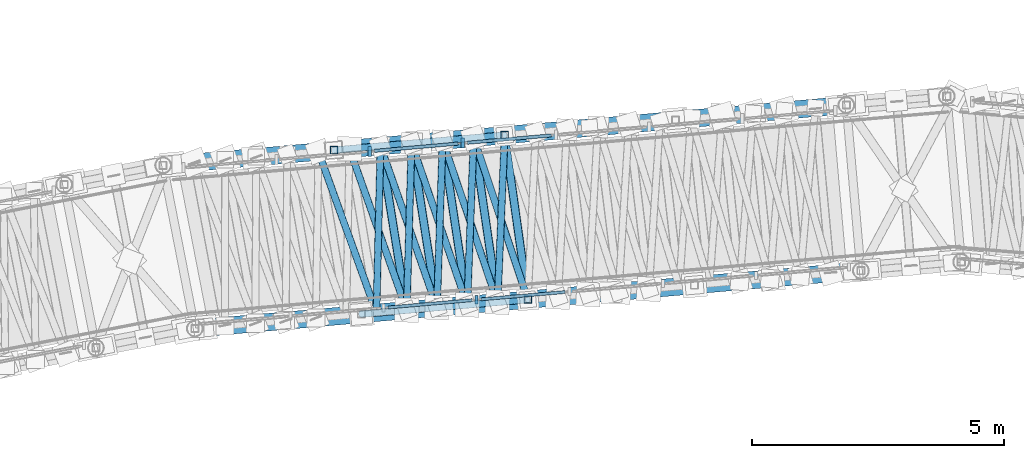
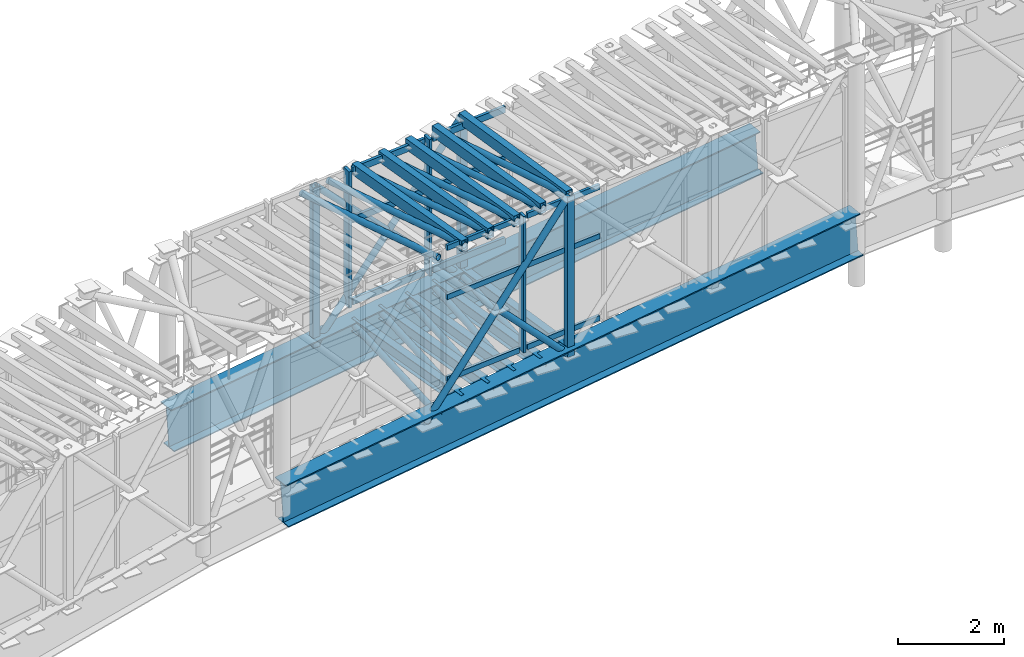
# One storey, part 51 of 144: 39 members, 7 beams, 2 elements without a shape of their own.
"""IFC4 building model written with IfcOpenShell, lengths in metres."""

from ifc_helpers import new_model, si_unit, direction, frame, origin, origin_2d, place, context, subcontext, project, spatial, rectangle, hollow_rectangle, hollow_circle, i_section, extrude, material, material_profile, profile_set, type_object, element, aggregate, save


model = new_model("IFC4")

# Units and contexts
model_context = context("Model", 3, precision=1e-05, world=origin(), true_north=direction((0.0, 1.0)))
body_context = subcontext(model_context, "Body", "Model", "MODEL_VIEW")
ifc_project = project(units=[si_unit("LENGTHUNIT", "METRE"), si_unit("AREAUNIT", "SQUARE_METRE"), si_unit("VOLUMEUNIT", "CUBIC_METRE"), si_unit("PLANEANGLEUNIT", "RADIAN"), si_unit("MASSUNIT", "GRAM", prefix="KILO")], contexts=[model_context])

# Site, building, storey
site_placement = place(None, origin())
site = spatial("IfcSite", under=ifc_project, at=site_placement, CompositionType="ELEMENT")
building_placement = place(site_placement, origin())
building = spatial("IfcBuilding", under=site, at=building_placement, Name="Cinderbank Siding Concert Hall", CompositionType="ELEMENT")
storey_placement = place(building_placement, frame((0.0, 0.0, 5.39990234375)))
storey = spatial("IfcBuildingStorey", under=building, at=storey_placement, Name="L02", CompositionType="ELEMENT", Elevation=5.39990234375)

# Beams
ifc_material_1 = material(Name="Structural steel welded plate section AS/NZS 3679.2 / AS/NZS 3678 Grade 350 (340 MPa)", Category="steel")
ifc_material_profile_1 = material_profile(ifc_material_1, i_section(OverallWidth=0.35009765625, OverallDepth=1.0, WebThickness=0.013916015625, FlangeThickness=0.02490234375, at=origin_2d()), Name="1000WB258", Category="LoadBearing")
ifc_profile_set_1 = profile_set([ifc_material_profile_1], Name="Structural steel welded plate section AS/NZS 3679.2 / AS/NZS 3678 Grade 350 (340 MPa)")
beam_type_1 = type_object("IfcBeamType", Name="BM-WB1000 1000WB258", PredefinedType="BEAM", material=ifc_profile_set_1)
beam_1_placement = place(storey_placement, frame((63.64208984375, 101.06591796875, 0.239990234375), z_axis=(0.993668787675, 0.087581409073, 0.070369291498), x_axis=(-0.087799062183, 0.996138205612, 0.0)))
element("IfcBeam", 1, at=beam_1_placement, inside=storey, type_object=beam_type_1, Name="L02 Beam BM-WB1000 #1929", PredefinedType="BEAM", context=body_context, shape_type="SweptSolid", body=[
    extrude(i_section(OverallWidth=0.35009765625, OverallDepth=1.0, WebThickness=0.013916015625, FlangeThickness=0.02490234375, at=origin_2d()), origin(), (0.0, 0.0, 1.0), 13.645263671875),
])
beam_2_placement = place(storey_placement, frame((64.27099609375, 97.825927734375, 0.239990234375), z_axis=(0.993649625476, 0.086314146185, 0.072182338283), x_axis=(-0.086539889575, 0.996248386454, 0.0)))
element("IfcBeam", 2, at=beam_2_placement, inside=storey, type_object=beam_type_1, Name="L02 Beam BM-WB1000 #1930", PredefinedType="BEAM", context=body_context, shape_type="SweptSolid", body=[
    extrude(i_section(OverallWidth=0.35009765625, OverallDepth=1.0, WebThickness=0.013916015625, FlangeThickness=0.02490234375, at=origin_2d()), origin(), (0.0, 0.0, 1.0), 13.302490234375),
])

# Members
ifc_material_2 = material(Name="Structural steel hollow section AS/NZS 1163 Grade C350L0 (350 MPa)", Category="steel")
ifc_material_profile_2 = material_profile(ifc_material_2, hollow_circle(Radius=0.06982421875, WallThickness=0.00634765625, at=origin_2d()), Name="139.7x6.4CHS", Category="LoadBearing")
ifc_profile_set_2 = profile_set([ifc_material_profile_2], Name="Structural steel hollow section AS/NZS 1163 Grade C350L0 (350 MPa)")
member_type_1 = type_object("IfcMemberType", Name="BR-CHS139 139.7x6.4CHS Roof Truss", PredefinedType="BRACE", material=ifc_profile_set_2)
member_1_placement = place(storey_placement, frame((67.03173828125, 101.36474609375, 0.75), z_axis=(0.651084484963, 0.057398977931, 0.756831784991), x_axis=(-0.087818429419, 0.996136498405, 0.0)))
element("IfcMember", 3, at=member_1_placement, inside=storey, type_object=member_type_1, Name="L02 Diagonal Brace BR-CHS139 #BRDL-BR-CHS139-L02-0143", PredefinedType="BRACE", context=body_context, shape_type="SweptSolid", body=[
    extrude(hollow_circle(Radius=0.06982421875, WallThickness=0.00634765625, at=origin_2d()), origin(), (0.0, 0.0, 1.0), 5.2060546875),
])
for number, where, z_axis, x_axis, name in (
    (4, (67.03173828125, 101.36474609375, 4.4501953125), (0.69843923657, 0.06155255194, -0.713017472556), (-0.087788461668, 0.996139139879, 0.0), "L02 Diagonal Brace BR-CHS139 #BRDL-BR-CHS139-L02-0144"),
    (5, (68.737060546875, 101.514892578125, 2.70947265625), (0.698434880748, 0.061653405186, -0.713013025816), (-0.087931735081, 0.996126502993, 0.0), "L02 Diagonal Brace BR-CHS139 #BRDL-BR-CHS139-L02-0144-S14"),
):
    element("IfcMember", number, at=place(storey_placement, frame(where, z_axis=z_axis, x_axis=x_axis)), inside=storey, type_object=member_type_1, Name=name, PredefinedType="BRACE", context=body_context, shape_type="SweptSolid", body=[
        extrude(hollow_circle(Radius=0.06982421875, WallThickness=0.00634765625, at=origin_2d()), origin(), (0.0, 0.0, 1.0), 2.41162109375),
    ])
member_2_placement = place(storey_placement, frame((67.575439453125, 98.113037109375, 0.75), z_axis=(0.641588692887, 0.055697577698, 0.765024005504), x_axis=(-0.086486685101, 0.996253006671, 0.0)))
element("IfcMember", 6, at=member_2_placement, inside=storey, type_object=member_type_1, Name="L02 Diagonal Brace BR-CHS139 #BRDR-BR-CHS139-L02-0155", PredefinedType="BRACE", context=body_context, shape_type="SweptSolid", body=[
    extrude(hollow_circle(Radius=0.06982421875, WallThickness=0.00634765625, at=origin_2d()), origin(), (0.0, 0.0, 1.0), 5.150390625),
])
member_3_placement = place(storey_placement, frame((69.238037109375, 98.25732421875, 2.709228515625), z_axis=(0.689403024463, 0.059867861158, -0.721899791565), x_axis=(-0.086514549146, 0.996250587345, 0.0)))
element("IfcMember", 7, at=member_3_placement, inside=storey, type_object=member_type_1, Name="L02 Diagonal Brace BR-CHS139 #BRDR-BR-CHS139-L02-0156-S18", PredefinedType="BRACE", context=body_context, shape_type="SweptSolid", body=[
    extrude(hollow_circle(Radius=0.06982421875, WallThickness=0.00634765625, at=origin_2d()), origin(), (0.0, 0.0, 1.0), 2.381591796875),
])
member_4_placement = place(storey_placement, frame((66.7236328125, 101.337646484375, 4.398193359375), z_axis=(0.338922862955, -0.940726361773, 0.012853218743), x_axis=(0.940804077861, 0.338950862339, 0.0)))
element("IfcMember", 8, at=member_4_placement, inside=storey, type_object=member_type_1, Name="L02 Diagonal Brace BR-CHS139 #BRXR-BR-CHS139-L02-0178", PredefinedType="BRACE", context=body_context, shape_type="SweptSolid", body=[
    extrude(hollow_circle(Radius=0.06982421875, WallThickness=0.00634765625, at=origin_2d()), origin(), (0.0, 0.0, 1.0), 3.39990234375),
])
member_5_placement = place(storey_placement, frame((67.8759765625, 98.13916015625, 0.802001953125), z_axis=(0.02427833391, 0.999617966996, 0.013209184711), x_axis=(-0.999705186361, 0.02428045226, 0.0)))
element("IfcMember", 9, at=member_5_placement, inside=storey, type_object=member_type_1, Name="L02 Diagonal Brace BR-CHS139 #BRST-BR-CHS139-L02-0180", PredefinedType="BRACE", context=body_context, shape_type="SweptSolid", body=[
    extrude(hollow_circle(Radius=0.06982421875, WallThickness=0.00634765625, at=origin_2d()), origin(), (0.0, 0.0, 1.0), 3.308349609375),
])
member_6_placement = place(storey_placement, frame((67.33984375, 101.391845703125, 4.44189453125), z_axis=(0.334728106984, -0.942226917427, 0.012865864537), x_axis=(0.942304910742, 0.334755814275, 0.0)))
element("IfcMember", 10, at=member_6_placement, inside=storey, type_object=member_type_1, Name="L02 Diagonal Brace BR-CHS139 #BRXR-BR-CHS139-L02-0181", PredefinedType="BRACE", context=body_context, shape_type="SweptSolid", body=[
    extrude(hollow_circle(Radius=0.06982421875, WallThickness=0.00634765625, at=origin_2d()), origin(), (0.0, 0.0, 1.0), 3.396728515625),
])
member_7_placement = place(storey_placement, frame((68.476806640625, 98.19140625, 0.845703125), z_axis=(0.028906773123, 0.999495925794, 0.013126034735), x_axis=(-0.999582039892, 0.028909263659, 0.0)))
element("IfcMember", 11, at=member_7_placement, inside=storey, type_object=member_type_1, Name="L02 Diagonal Brace BR-CHS139 #BRST-BR-CHS139-L02-0183", PredefinedType="BRACE", context=body_context, shape_type="SweptSolid", body=[
    extrude(hollow_circle(Radius=0.06982421875, WallThickness=0.00634765625, at=origin_2d()), origin(), (0.0, 0.0, 1.0), 3.310791015625),
])
member_8_placement = place(storey_placement, frame((67.956298828125, 101.4462890625, 4.485595703125), z_axis=(0.330345464989, -0.943772246341, 0.012877142472), x_axis=(0.943850504607, 0.33037285747, 0.0)))
element("IfcMember", 12, at=member_8_placement, inside=storey, type_object=member_type_1, Name="L02 Diagonal Brace BR-CHS139 #BRXR-BR-CHS139-L02-0184", PredefinedType="BRACE", context=body_context, shape_type="SweptSolid", body=[
    extrude(hollow_circle(Radius=0.06982421875, WallThickness=0.00634765625, at=origin_2d()), origin(), (0.0, 0.0, 1.0), 3.393798828125),
])
member_9_placement = place(storey_placement, frame((69.077392578125, 98.243408203125, 0.88916015625), z_axis=(0.033670091097, 0.999345986069, 0.013188066316), x_axis=(-0.999432903079, 0.033673019515, 0.0)))
element("IfcMember", 13, at=member_9_placement, inside=storey, type_object=member_type_1, Name="L02 Diagonal Brace BR-CHS139 #BRST-BR-CHS139-L02-0186", PredefinedType="BRACE", context=body_context, shape_type="SweptSolid", body=[
    extrude(hollow_circle(Radius=0.06982421875, WallThickness=0.00634765625, at=origin_2d()), origin(), (0.0, 0.0, 1.0), 3.313720703125),
])
member_10_placement = place(storey_placement, frame((68.572509765625, 101.50048828125, 4.529296875), z_axis=(0.326185806201, -0.945218781016, 0.012817014018), x_axis=(0.945296428891, 0.326212601727, 0.0)))
element("IfcMember", 14, at=member_10_placement, inside=storey, type_object=member_type_1, Name="L02 Diagonal Brace BR-CHS139 #BRXR-BR-CHS139-L02-0187", PredefinedType="BRACE", context=body_context, shape_type="SweptSolid", body=[
    extrude(hollow_circle(Radius=0.06982421875, WallThickness=0.00634765625, at=origin_2d()), origin(), (0.0, 0.0, 1.0), 3.390625),
])
member_11_placement = place(storey_placement, frame((69.678466796875, 98.295654296875, 0.932861328125), z_axis=(0.038209247343, 0.999182861148, 0.013178141184), x_axis=(-0.999269633199, 0.038212565549, 0.0)))
element("IfcMember", 15, at=member_11_placement, inside=storey, type_object=member_type_1, Name="L02 Diagonal Brace BR-CHS139 #BRST-BR-CHS139-L02-0189", PredefinedType="BRACE", context=body_context, shape_type="SweptSolid", body=[
    extrude(hollow_circle(Radius=0.06982421875, WallThickness=0.00634765625, at=origin_2d()), origin(), (0.0, 0.0, 1.0), 3.316162109375),
])
member_12_placement = place(storey_placement, frame((69.18896484375, 101.554931640625, 4.57275390625), z_axis=(0.321860442378, -0.946699232216, 0.012900362558), x_axis=(0.946778016587, 0.321887227625, 0.0)))
element("IfcMember", 16, at=member_12_placement, inside=storey, type_object=member_type_1, Name="L02 Diagonal Brace BR-CHS139 #BRXR-BR-CHS139-L02-0190", PredefinedType="BRACE", context=body_context, shape_type="SweptSolid", body=[
    extrude(hollow_circle(Radius=0.06982421875, WallThickness=0.00634765625, at=origin_2d()), origin(), (0.0, 0.0, 1.0), 3.3876953125),
])
member_13_placement = place(storey_placement, frame((70.279296875, 98.347900390625, 0.9765625), z_axis=(0.042811021223, 0.998997386986, 0.013093405116), x_axis=(-0.999083030684, 0.042814691397, 0.0)))
element("IfcMember", 17, at=member_13_placement, inside=storey, type_object=member_type_1, Name="L02 Diagonal Brace BR-CHS139 #BRST-BR-CHS139-L02-0192", PredefinedType="BRACE", context=body_context, shape_type="SweptSolid", body=[
    extrude(hollow_circle(Radius=0.06982421875, WallThickness=0.00634765625, at=origin_2d()), origin(), (0.0, 0.0, 1.0), 3.319091796875),
])
member_14_placement = place(storey_placement, frame((69.80517578125, 101.609130859375, 4.616455078125), z_axis=(0.317521099374, -0.94816330106, 0.012911466785), x_axis=(0.948242343187, 0.317547569015, 0.0)))
element("IfcMember", 18, at=member_14_placement, inside=storey, type_object=member_type_1, Name="L02 Diagonal Brace BR-CHS139 #BRXR-BR-CHS139-L02-0193", PredefinedType="BRACE", context=body_context, shape_type="SweptSolid", body=[
    extrude(hollow_circle(Radius=0.06982421875, WallThickness=0.00634765625, at=origin_2d()), origin(), (0.0, 0.0, 1.0), 3.384765625),
])
ifc_material_profile_3 = material_profile(ifc_material_2, hollow_rectangle(XDim=0.14990234375, YDim=0.14990234375, WallThickness=0.008056640625, at=origin_2d()), Name="150x150x8.0SHS", Category="LoadBearing")
ifc_profile_set_3 = profile_set([ifc_material_profile_3], Name="Structural steel hollow section AS/NZS 1163 Grade C350L0 (350 MPa)")
member_type_2 = type_object("IfcMemberType", Name="BR-SHS150 150x150x8.0SHS Roof Truss", PredefinedType="BRACE", material=ifc_profile_set_3)
for number, where, z_axis, x_axis, name in (
    (19, (67.03173828125, 101.36474609375, 0.75), (0.0, 0.0, 1.0), (1.0, 0.0, 0.0), "L02 Diagonal Brace BR-SHS150 #BRVL-BR-SHS150-L02-0142"),
    (20, (70.42138671875, 101.66357421875, 0.989990234375), (0.0, 0.0, 1.0), (1.0, 0.0, 0.0), "L02 Diagonal Brace BR-SHS150 #BRVL-BR-SHS150-L02-0145"),
    (21, (70.8798828125, 98.39990234375, 0.989990234375), (0.0, 0.0, 1.0), (1.0, 0.0, 0.0), "L02 Diagonal Brace BR-SHS150 #BRVR-BR-SHS150-L02-0157"),
):
    element("IfcMember", number, at=place(storey_placement, frame(where, z_axis=z_axis, x_axis=x_axis)), inside=storey, type_object=member_type_2, Name=name, PredefinedType="BRACE", context=body_context, shape_type="SweptSolid", body=[
        extrude(hollow_rectangle(XDim=0.14990234375, YDim=0.14990234375, WallThickness=0.008056640625, at=origin_2d()), origin(), (0.0, 0.0, 1.0), 3.7001953125),
    ])

# Curtain wall, member
ifc_material_3 = material(Name="Anodised aluminium alloy 6063-T6", Category="aluminium")
curtain_wall_type = type_object("IfcCurtainWallType", Name="CW-15 Unitised Acoustic Curtain Wall 12800x3200", PredefinedType="NOTDEFINED", material=ifc_material_3)
curtain_wall_1_placement = place(storey_placement, origin())
curtain_wall_1 = element("IfcCurtainWall", 22, at=curtain_wall_1_placement, inside=storey, type_object=curtain_wall_type, Name="L02 Curtain Wall CW-15 #156", PredefinedType="NOTDEFINED")
ifc_material_profile_4 = material_profile(ifc_material_3, rectangle(XDim=0.06005859375, YDim=0.159912109375, at=origin_2d()), Name="ALU-MULL-60x160", Category="LoadBearing")
ifc_profile_set_4 = profile_set([ifc_material_profile_4], Name="Anodised aluminium alloy 6063-T6")
member_type_3 = type_object("IfcMemberType", Name="CW-ML1 Mullion 60x160", PredefinedType="MULLION", material=ifc_profile_set_4)
member_15_placement = place(storey_placement, frame((69.86279296875, 98.39697265625, 1.440185546875), z_axis=(0.0, 0.0, 1.0), x_axis=(1.0, 0.0, 0.0)))
member_15 = element("IfcMember", 23, at=member_15_placement, type_object=member_type_3, Name="CW-L02-156 Mullion 3", PredefinedType="MULLION", context=body_context, shape_type="SweptSolid", body=[
    extrude(rectangle(XDim=0.06005859375, YDim=0.159912109375, at=origin_2d()), origin(), (0.0, 0.0, 1.0), 3.14990234375),
])

# Curtain wall, members
curtain_wall_2_placement = place(storey_placement, origin())
curtain_wall_2 = element("IfcCurtainWall", 24, at=curtain_wall_2_placement, inside=storey, type_object=curtain_wall_type, Name="L02 Curtain Wall CW-15 #155", PredefinedType="NOTDEFINED")
ifc_material_profile_5 = material_profile(ifc_material_3, rectangle(XDim=0.06494140625, YDim=0.199951171875, at=origin_2d()), Name="ALU-MULL-65x200", Category="LoadBearing")
ifc_profile_set_5 = profile_set([ifc_material_profile_5], Name="Anodised aluminium alloy 6063-T6")
member_type_4 = type_object("IfcMemberType", Name="CW-ML2 Mullion 65x200", PredefinedType="MULLION", material=ifc_profile_set_5)
member_16_placement = place(storey_placement, frame((67.74267578125, 101.34326171875, 1.440185546875), z_axis=(0.0, 0.0, 1.0), x_axis=(1.0, 0.0, 0.0)))
member_16 = element("IfcMember", 25, at=member_16_placement, type_object=member_type_4, Name="CW-L02-155 Mullion 2", PredefinedType="MULLION", context=body_context, shape_type="SweptSolid", body=[
    extrude(rectangle(XDim=0.06494140625, YDim=0.199951171875, at=origin_2d()), origin(), (0.0, 0.0, 1.0), 3.14990234375),
])
member_17_placement = place(storey_placement, frame((69.5908203125, 101.5048828125, 1.440185546875), z_axis=(0.0, 0.0, 1.0), x_axis=(1.0, 0.0, 0.0)))
member_17 = element("IfcMember", 26, at=member_17_placement, type_object=member_type_4, Name="CW-L02-155 Mullion 3", PredefinedType="MULLION", context=body_context, shape_type="SweptSolid", body=[
    extrude(rectangle(XDim=0.06494140625, YDim=0.199951171875, at=origin_2d()), origin(), (0.0, 0.0, 1.0), 3.14990234375),
])

# Member
ifc_material_profile_6 = material_profile(ifc_material_3, rectangle(XDim=0.06005859375, YDim=0.1201171875, at=origin_2d()), Name="ALU-TRAN-60x120", Category="LoadBearing")
ifc_profile_set_6 = profile_set([ifc_material_profile_6], Name="Anodised aluminium alloy 6063-T6")
member_type_5 = type_object("IfcMemberType", Name="CW-TR1 Transom 60x120", PredefinedType="USERDEFINED", material=ifc_profile_set_6)
member_18_placement = place(storey_placement, frame((68.107177734375, 98.243408203125, 1.5), z_axis=(0.996195463137, 0.087146997803, 0.0), x_axis=(-0.087146997803, 0.996195463137, 0.0)))
member_18 = element("IfcMember", 27, at=member_18_placement, type_object=member_type_5, Name="CW-L02-156 Transom 2-0", ObjectType="TRANSOM", PredefinedType="USERDEFINED", context=body_context, shape_type="SweptSolid", body=[
    extrude(rectangle(XDim=0.06005859375, YDim=0.1201171875, at=origin_2d()), origin(), (0.0, 0.0, 1.0), 1.669677734375),
])

member_19_placement = place(storey_placement, frame((68.107177734375, 98.243408203125, 3.39306640625), z_axis=(0.996195463137, 0.087146997803, 0.0), x_axis=(-0.087146997803, 0.996195463137, 0.0)))
member_19 = element("IfcMember", 28, at=member_19_placement, type_object=member_type_5, Name="CW-L02-156 Transom 2-1", ObjectType="TRANSOM", PredefinedType="USERDEFINED", context=body_context, shape_type="SweptSolid", body=[
    extrude(rectangle(XDim=0.06005859375, YDim=0.1201171875, at=origin_2d()), origin(), (0.0, 0.0, 1.0), 1.669677734375),
])

member_20_placement = place(storey_placement, frame((68.107177734375, 98.243408203125, 4.530029296875), z_axis=(0.996195463137, 0.087146997803, 0.0), x_axis=(-0.087146997803, 0.996195463137, 0.0)))
member_20 = element("IfcMember", 29, at=member_20_placement, type_object=member_type_5, Name="CW-L02-156 Transom 2-2", ObjectType="TRANSOM", PredefinedType="USERDEFINED", context=body_context, shape_type="SweptSolid", body=[
    extrude(rectangle(XDim=0.06005859375, YDim=0.1201171875, at=origin_2d()), origin(), (0.0, 0.0, 1.0), 1.669677734375),
])

member_21_placement = place(storey_placement, frame((69.955078125, 98.405029296875, 1.5), z_axis=(0.996195463137, 0.087146997803, 0.0), x_axis=(-0.087146997803, 0.996195463137, 0.0)))
member_21 = element("IfcMember", 30, at=member_21_placement, type_object=member_type_5, Name="CW-L02-156 Transom 3-0", ObjectType="TRANSOM", PredefinedType="USERDEFINED", context=body_context, shape_type="SweptSolid", body=[
    extrude(rectangle(XDim=0.06005859375, YDim=0.1201171875, at=origin_2d()), origin(), (0.0, 0.0, 1.0), 1.669677734375),
])

member_22_placement = place(storey_placement, frame((69.955078125, 98.405029296875, 3.39306640625), z_axis=(0.996195463137, 0.087146997803, 0.0), x_axis=(-0.087146997803, 0.996195463137, 0.0)))
member_22 = element("IfcMember", 31, at=member_22_placement, type_object=member_type_5, Name="CW-L02-156 Transom 3-1", ObjectType="TRANSOM", PredefinedType="USERDEFINED", context=body_context, shape_type="SweptSolid", body=[
    extrude(rectangle(XDim=0.06005859375, YDim=0.1201171875, at=origin_2d()), origin(), (0.0, 0.0, 1.0), 1.669677734375),
])

member_23_placement = place(storey_placement, frame((69.955078125, 98.405029296875, 4.530029296875), z_axis=(0.996195463137, 0.087146997803, 0.0), x_axis=(-0.087146997803, 0.996195463137, 0.0)))
member_23 = element("IfcMember", 32, at=member_23_placement, type_object=member_type_5, Name="CW-L02-156 Transom 3-2", ObjectType="TRANSOM", PredefinedType="USERDEFINED", context=body_context, shape_type="SweptSolid", body=[
    extrude(rectangle(XDim=0.06005859375, YDim=0.1201171875, at=origin_2d()), origin(), (0.0, 0.0, 1.0), 1.669677734375),
])

aggregate(curtain_wall_1, [member_15, member_18, member_19, member_20, member_21, member_22, member_23])

ifc_material_profile_7 = material_profile(ifc_material_3, rectangle(XDim=0.06494140625, YDim=0.14990234375, at=origin_2d()), Name="ALU-TRAN-65x150", Category="LoadBearing")
ifc_profile_set_7 = profile_set([ifc_material_profile_7], Name="Anodised aluminium alloy 6063-T6")
member_type_6 = type_object("IfcMemberType", Name="CW-TR2 Transom 65x150", PredefinedType="USERDEFINED", material=ifc_profile_set_7)
member_24_placement = place(storey_placement, frame((67.835205078125, 101.351318359375, 1.5), z_axis=(0.996194352413, 0.087159693781, 0.0), x_axis=(-0.087159693781, 0.996194352413, 0.0)))
member_24 = element("IfcMember", 33, at=member_24_placement, type_object=member_type_6, Name="CW-L02-155 Transom 2-0", ObjectType="TRANSOM", PredefinedType="USERDEFINED", context=body_context, shape_type="SweptSolid", body=[
    extrude(rectangle(XDim=0.06494140625, YDim=0.14990234375, at=origin_2d()), origin(), (0.0, 0.0, 1.0), 1.66943359375),
])

member_25_placement = place(storey_placement, frame((67.835205078125, 101.351318359375, 3.39306640625), z_axis=(0.996194352413, 0.087159693781, 0.0), x_axis=(-0.087159693781, 0.996194352413, 0.0)))
member_25 = element("IfcMember", 34, at=member_25_placement, type_object=member_type_6, Name="CW-L02-155 Transom 2-1", ObjectType="TRANSOM", PredefinedType="USERDEFINED", context=body_context, shape_type="SweptSolid", body=[
    extrude(rectangle(XDim=0.06494140625, YDim=0.14990234375, at=origin_2d()), origin(), (0.0, 0.0, 1.0), 1.66943359375),
])

member_26_placement = place(storey_placement, frame((67.835205078125, 101.351318359375, 4.530029296875), z_axis=(0.996194352413, 0.087159693781, 0.0), x_axis=(-0.087159693781, 0.996194352413, 0.0)))
member_26 = element("IfcMember", 35, at=member_26_placement, type_object=member_type_6, Name="CW-L02-155 Transom 2-2", ObjectType="TRANSOM", PredefinedType="USERDEFINED", context=body_context, shape_type="SweptSolid", body=[
    extrude(rectangle(XDim=0.06494140625, YDim=0.14990234375, at=origin_2d()), origin(), (0.0, 0.0, 1.0), 1.66943359375),
])

member_27_placement = place(storey_placement, frame((69.68310546875, 101.51318359375, 1.5), z_axis=(0.996195463137, 0.087146997803, 0.0), x_axis=(-0.087146997803, 0.996195463137, 0.0)))
member_27 = element("IfcMember", 36, at=member_27_placement, type_object=member_type_6, Name="CW-L02-155 Transom 3-0", ObjectType="TRANSOM", PredefinedType="USERDEFINED", context=body_context, shape_type="SweptSolid", body=[
    extrude(rectangle(XDim=0.06494140625, YDim=0.14990234375, at=origin_2d()), origin(), (0.0, 0.0, 1.0), 1.669677734375),
])

member_28_placement = place(storey_placement, frame((69.68310546875, 101.51318359375, 3.39306640625), z_axis=(0.996195463137, 0.087146997803, 0.0), x_axis=(-0.087146997803, 0.996195463137, 0.0)))
member_28 = element("IfcMember", 37, at=member_28_placement, type_object=member_type_6, Name="CW-L02-155 Transom 3-1", ObjectType="TRANSOM", PredefinedType="USERDEFINED", context=body_context, shape_type="SweptSolid", body=[
    extrude(rectangle(XDim=0.06494140625, YDim=0.14990234375, at=origin_2d()), origin(), (0.0, 0.0, 1.0), 1.669677734375),
])

member_29_placement = place(storey_placement, frame((69.68310546875, 101.51318359375, 4.530029296875), z_axis=(0.996195463137, 0.087146997803, 0.0), x_axis=(-0.087146997803, 0.996195463137, 0.0)))
member_29 = element("IfcMember", 38, at=member_29_placement, type_object=member_type_6, Name="CW-L02-155 Transom 3-2", ObjectType="TRANSOM", PredefinedType="USERDEFINED", context=body_context, shape_type="SweptSolid", body=[
    extrude(rectangle(XDim=0.06494140625, YDim=0.14990234375, at=origin_2d()), origin(), (0.0, 0.0, 1.0), 1.669677734375),
])

aggregate(curtain_wall_2, [member_16, member_17, member_24, member_25, member_26, member_27, member_28, member_29])

# Beams
ifc_material_4 = material(Name="Structural steel AS/NZS 3679.1 Grade 350 (340 MPa)", Category="steel")
ifc_material_profile_8 = material_profile(ifc_material_4, i_section(OverallWidth=0.1650390625, OverallDepth=0.303955078125, WebThickness=0.006103515625, FlangeThickness=0.01025390625, at=origin_2d()), Name="310UB40.4", Category="LoadBearing")
ifc_profile_set_8 = profile_set([ifc_material_profile_8], Name="Structural steel AS/NZS 3679.1 Grade 350 (340 MPa)")
beam_type_2 = type_object("IfcBeamType", Name="JS-UB310 310UB40.4", PredefinedType="JOIST", material=ifc_profile_set_8)
beam_3_placement = place(storey_placement, frame((68.476806640625, 98.19140625, 0.8935546875), z_axis=(-0.157909616806, 0.987453570007, 0.0), x_axis=(-0.987453570007, -0.157909616806, 0.0)))
element("IfcBeam", 39, at=beam_3_placement, inside=storey, type_object=beam_type_2, Name="L02 Beam JS-UB310 #1937", PredefinedType="JOIST", context=body_context, shape_type="SweptSolid", body=[
    extrude(i_section(OverallWidth=0.1650390625, OverallDepth=0.303955078125, WebThickness=0.006103515625, FlangeThickness=0.01025390625, at=origin_2d()), origin(), (0.0, 0.0, 1.0), 3.296142578125),
])
for number, where, z_axis, x_axis, name in (
    (40, (69.077392578125, 98.243408203125, 0.937255859375), (-0.153181442897, 0.98819808012, 0.0), (-0.98819808012, -0.153181442897, 0.0), "L02 Beam JS-UB310 #1938"),
    (41, (69.678466796875, 98.295654296875, 0.980712890625), (-0.148521564362, 0.988909169196, 0.0), (-0.988909169196, -0.148521564362, 0.0), "L02 Beam JS-UB310 #1939"),
):
    element("IfcBeam", number, at=place(storey_placement, frame(where, z_axis=z_axis, x_axis=x_axis)), inside=storey, type_object=beam_type_2, Name=name, PredefinedType="JOIST", context=body_context, shape_type="SweptSolid", body=[
        extrude(i_section(OverallWidth=0.1650390625, OverallDepth=0.303955078125, WebThickness=0.006103515625, FlangeThickness=0.01025390625, at=origin_2d()), origin(), (0.0, 0.0, 1.0), 3.2958984375),
    ])
beam_4_placement = place(storey_placement, frame((70.279296875, 98.347900390625, 1.0244140625), z_axis=(-0.143868616581, 0.989596797268, 0.0), x_axis=(-0.989596797268, -0.143868616581, 0.0)))
element("IfcBeam", 42, at=beam_4_placement, inside=storey, type_object=beam_type_2, Name="L02 Beam JS-UB310 #1940", PredefinedType="JOIST", context=body_context, shape_type="SweptSolid", body=[
    extrude(i_section(OverallWidth=0.1650390625, OverallDepth=0.303955078125, WebThickness=0.006103515625, FlangeThickness=0.01025390625, at=origin_2d()), origin(), (0.0, 0.0, 1.0), 3.29541015625),
])
beam_5_placement = place(storey_placement, frame((70.8798828125, 98.39990234375, 1.068115234375), z_axis=(-0.139118627155, 0.990275723008, 0.0), x_axis=(-0.990275723008, -0.139118627155, 0.0)))
element("IfcBeam", 43, at=beam_5_placement, inside=storey, type_object=beam_type_2, Name="L02 Beam JS-UB310 #1941", PredefinedType="JOIST", context=body_context, shape_type="SweptSolid", body=[
    extrude(i_section(OverallWidth=0.1650390625, OverallDepth=0.303955078125, WebThickness=0.006103515625, FlangeThickness=0.01025390625, at=origin_2d()), origin(), (0.0, 0.0, 1.0), 3.295654296875),
])

# Members
ifc_material_profile_9 = material_profile(ifc_material_2, hollow_rectangle(XDim=0.14990234375, YDim=0.25, WallThickness=0.009033203125, at=origin_2d()), Name="250x150x9.0RHS", Category="LoadBearing")
ifc_profile_set_9 = profile_set([ifc_material_profile_9], Name="Structural steel hollow section AS/NZS 1163 Grade C350L0 (350 MPa)")
member_type_7 = type_object("IfcMemberType", Name="PR-RHS250 250x150x9.0RHS Roof Truss", PredefinedType="PURLIN", material=ifc_profile_set_9)
member_30_placement = place(storey_placement, frame((68.476806640625, 98.19140625, 4.485595703125), z_axis=(-0.157909616806, 0.987453570007, 0.0), x_axis=(-0.987453570007, -0.157909616806, 0.0)))
element("IfcMember", 44, at=member_30_placement, inside=storey, type_object=member_type_7, Name="L02 Roof Truss Member PR-RHS250 #179", PredefinedType="PURLIN", context=body_context, shape_type="SweptSolid", body=[
    extrude(hollow_rectangle(XDim=0.14990234375, YDim=0.25, WallThickness=0.009033203125, at=origin_2d()), origin(), (0.0, 0.0, 1.0), 3.296142578125),
])
for number, where, z_axis, x_axis, name in (
    (45, (69.077392578125, 98.243408203125, 4.529296875), (-0.153181442897, 0.98819808012, 0.0), (-0.98819808012, -0.153181442897, 0.0), "L02 Roof Truss Member PR-RHS250 #182"),
    (46, (69.678466796875, 98.295654296875, 4.57275390625), (-0.148521564362, 0.988909169196, 0.0), (-0.988909169196, -0.148521564362, 0.0), "L02 Roof Truss Member PR-RHS250 #185"),
):
    element("IfcMember", number, at=place(storey_placement, frame(where, z_axis=z_axis, x_axis=x_axis)), inside=storey, type_object=member_type_7, Name=name, PredefinedType="PURLIN", context=body_context, shape_type="SweptSolid", body=[
        extrude(hollow_rectangle(XDim=0.14990234375, YDim=0.25, WallThickness=0.009033203125, at=origin_2d()), origin(), (0.0, 0.0, 1.0), 3.2958984375),
    ])
member_31_placement = place(storey_placement, frame((70.279296875, 98.347900390625, 4.616455078125), z_axis=(-0.143868616581, 0.989596797268, 0.0), x_axis=(-0.989596797268, -0.143868616581, 0.0)))
element("IfcMember", 47, at=member_31_placement, inside=storey, type_object=member_type_7, Name="L02 Roof Truss Member PR-RHS250 #188", PredefinedType="PURLIN", context=body_context, shape_type="SweptSolid", body=[
    extrude(hollow_rectangle(XDim=0.14990234375, YDim=0.25, WallThickness=0.009033203125, at=origin_2d()), origin(), (0.0, 0.0, 1.0), 3.29541015625),
])
member_32_placement = place(storey_placement, frame((70.8798828125, 98.39990234375, 4.66015625), z_axis=(-0.139118627155, 0.990275723008, 0.0), x_axis=(-0.990275723008, -0.139118627155, 0.0)))
element("IfcMember", 48, at=member_32_placement, inside=storey, type_object=member_type_7, Name="L02 Roof Truss Member PR-RHS250 #191", PredefinedType="PURLIN", context=body_context, shape_type="SweptSolid", body=[
    extrude(hollow_rectangle(XDim=0.14990234375, YDim=0.25, WallThickness=0.009033203125, at=origin_2d()), origin(), (0.0, 0.0, 1.0), 3.295654296875),
])

save(model, "model.ifc")
